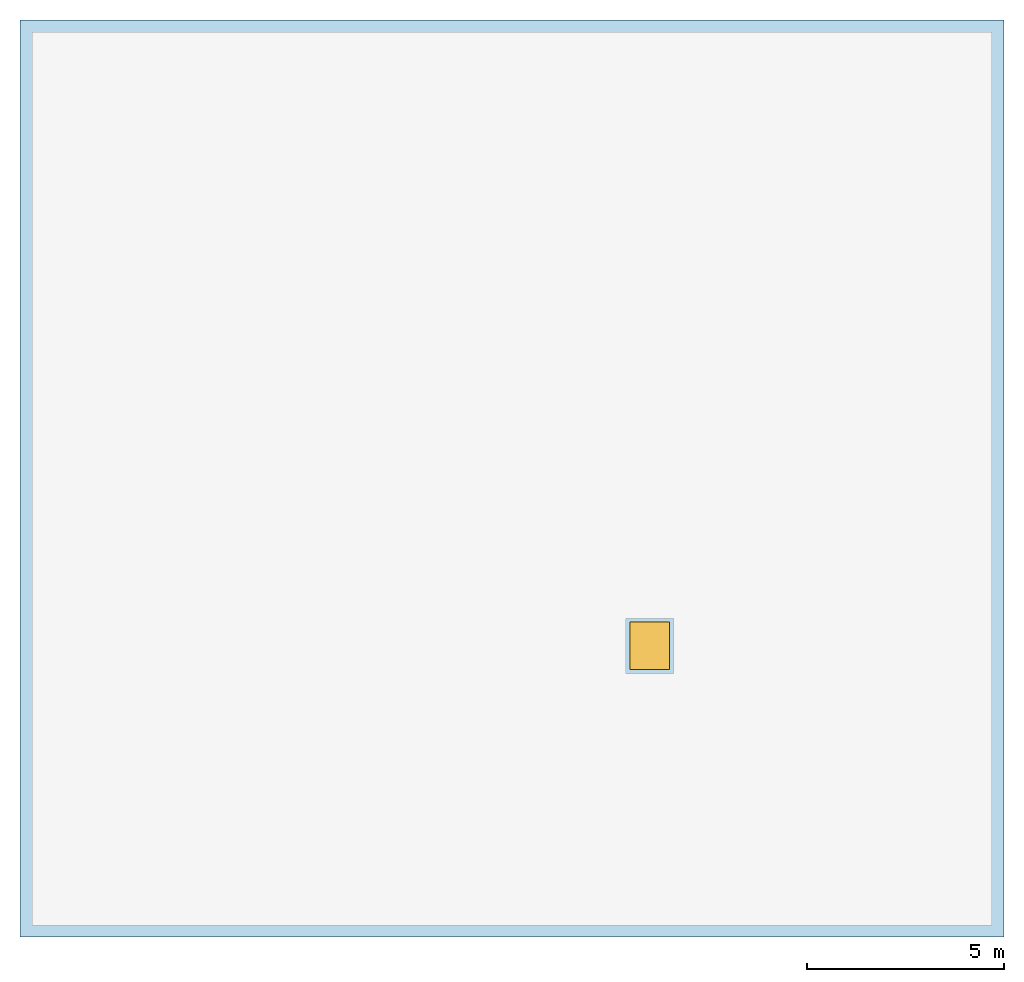
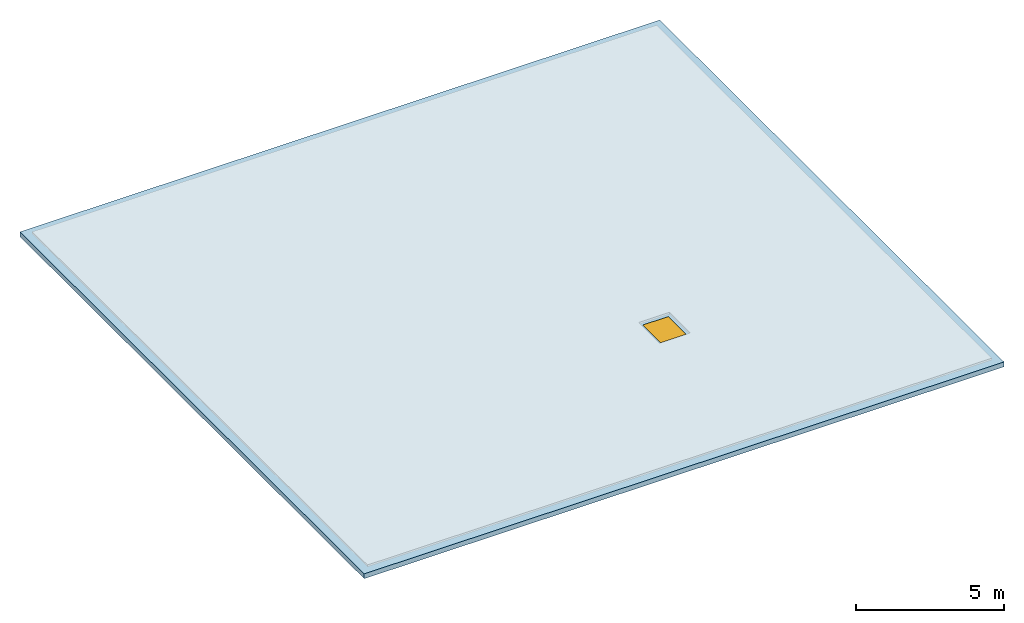
# One storey, part 1 of 2: 1 slab, 1 window, 1 opening.
"""IFC4 building model written with IfcOpenShell, lengths in metres."""

from ifc_helpers import new_model, si_unit, direction, frame, origin, origin_2d, place, context, subcontext, project, spatial, polyline, rectangle, outline, extrude, material, layer, layer_set, type_object, element, fill, save


model = new_model("IFC4")

# Units and contexts
model_context = context("Model", 3, precision=1e-05, world=origin(), true_north=direction((0.0, 1.0)))
body_context = subcontext(model_context, "Body", "Model", "MODEL_VIEW")
ifc_project = project(units=[si_unit("LENGTHUNIT", "METRE"), si_unit("AREAUNIT", "SQUARE_METRE"), si_unit("VOLUMEUNIT", "CUBIC_METRE"), si_unit("PLANEANGLEUNIT", "RADIAN"), si_unit("MASSUNIT", "GRAM", prefix="KILO")], contexts=[model_context])

# Site, building, storey
site_placement = place(None, origin())
site = spatial("IfcSite", under=ifc_project, at=site_placement, CompositionType="ELEMENT")
building_placement = place(site_placement, origin())
building = spatial("IfcBuilding", under=site, at=building_placement, Name="Kinhvarn Gate Tower", CompositionType="ELEMENT")
storey_placement = place(building_placement, frame((0.0, 0.0, 325.050048828125)))
storey = spatial("IfcBuildingStorey", under=building, at=storey_placement, Name="RF", CompositionType="ELEMENT", Elevation=325.050048828125)

# Slab, opening, window
ifc_material_1 = material(Name="Concrete C50/60", Category="concrete")
ifc_layer = layer(ifc_material_1, 0.199951171875)
ifc_layer_set = layer_set([ifc_layer], Name="Concrete C50/60")
slab_type = type_object("IfcSlabType", Name="SLB-ROOF-200", PredefinedType="ROOF", material=ifc_layer_set)
slab_placement = place(storey_placement, frame((0.0, 0.0, -0.199951171875)))
slab = element("IfcSlab", 1, at=slab_placement, inside=storey, type_object=slab_type, Name="Stepped Crown Top Cap Roof Slab RF", PredefinedType="ROOF", context=body_context, shape_type="SweptSolid", body=[
    extrude(outline(polyline([(4.5, 13.60009765625), (29.5, 13.60009765625), (29.5, 36.89990234375), (4.5, 36.89990234375), (4.5, 13.60009765625)])), origin(), (0.0, 0.0, 1.0), 0.199951171875),
])
opening_placement = place(slab_placement, frame((20.5, 21.0, -0.010009765625)))
opening = element("IfcOpeningElement", 2, at=opening_placement, cuts=slab, Name="Opening RH-01", PredefinedType="OPENING", context=body_context, shape_type="SweptSolid", body=[
    extrude(rectangle(XDim=1.0, YDim=1.199951171875, at=origin_2d()), origin(), (0.0, 0.0, 1.0), 0.219970703125),
])
ifc_material_2 = material(Name="Clear low-e double glazing", Category="glass")
window_type = type_object("IfcWindowType", Name="WIN-SKL-1200", PartitioningType="SINGLE_PANEL", PredefinedType="SKYLIGHT", material=ifc_material_2)
window_placement = place(slab_placement, frame((20.5, 21.0, 0.14990234375)))
window = element("IfcWindow", 3, at=window_placement, inside=storey, type_object=window_type, Name="Crown Summit Roof Maintenance Skylight Hatch RH-01 (RF)", OverallHeight=1.199951171875, OverallWidth=1.0, PartitioningType="SINGLE_PANEL", PredefinedType="SKYLIGHT", context=body_context, shape_type="SweptSolid", body=[
    extrude(rectangle(XDim=1.0, YDim=1.199951171875, at=origin_2d()), origin(), (0.0, 0.0, 1.0), 0.050048828125),
])
fill(opening, window)

save(model, "model.ifc")
